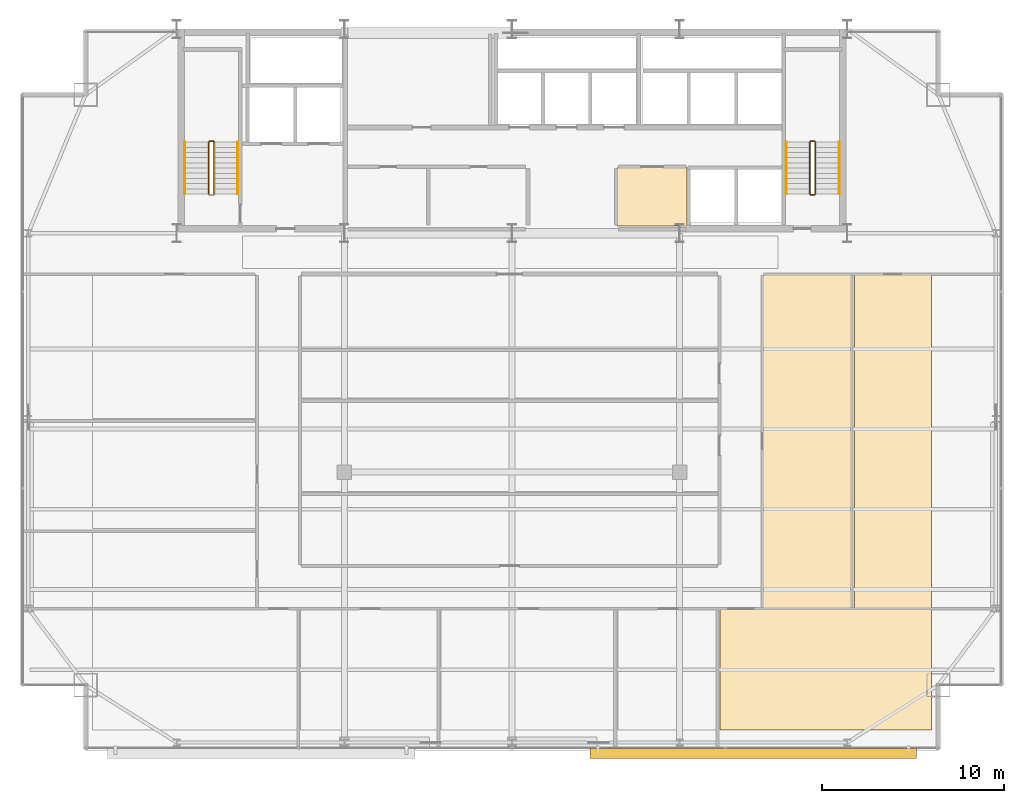
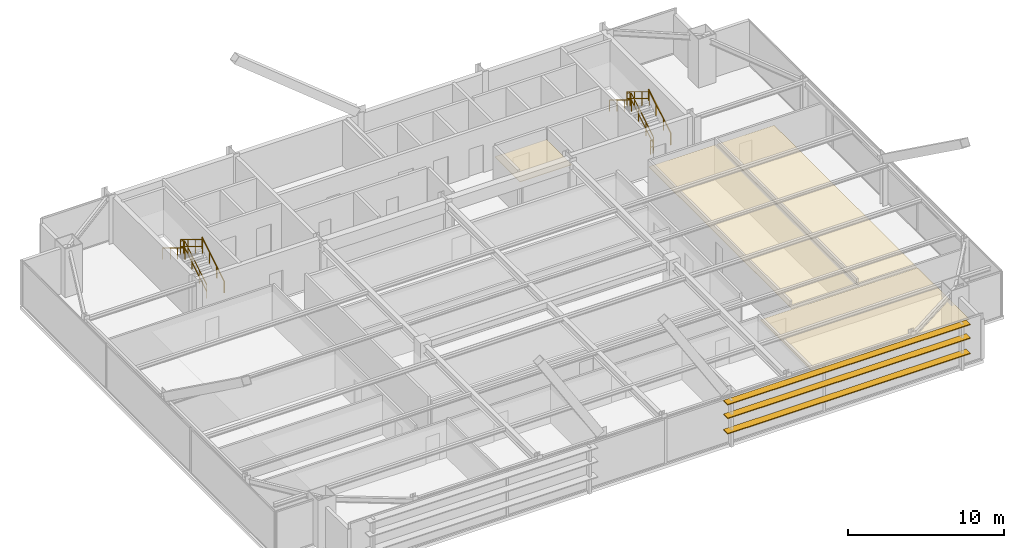
# One storey, part 30 of 30: 11 railings, 4 coverings, 3 shading devices.
"""IFC4 building model written with IfcOpenShell, lengths in metres."""

from ifc_helpers import new_model, si_unit, direction, frame, origin, origin_2d, place, context, subcontext, project, spatial, polyline, rectangle, outline, extrude, source, transform, mapped, material, layer, layer_set, type_object, type_shapes, element, save


model = new_model("IFC4")

# Units and contexts
model_context = context("Model", 3, precision=1e-05, world=origin(), true_north=direction((0.0, 1.0)))
body_context = subcontext(model_context, "Body", "Model", "MODEL_VIEW")
ifc_project = project(units=[si_unit("LENGTHUNIT", "METRE"), si_unit("AREAUNIT", "SQUARE_METRE"), si_unit("VOLUMEUNIT", "CUBIC_METRE"), si_unit("PLANEANGLEUNIT", "RADIAN"), si_unit("MASSUNIT", "GRAM", prefix="KILO")], contexts=[model_context])

# Site, building, storey
site_placement = place(None, origin())
site = spatial("IfcSite", under=ifc_project, at=site_placement, CompositionType="ELEMENT")
building_placement = place(site_placement, origin())
building = spatial("IfcBuilding", under=site, at=building_placement, Name="Varnel Quay Broadcast Tower", CompositionType="ELEMENT")
storey_placement = place(building_placement, frame((0.0, 0.0, 180.0)))
storey = spatial("IfcBuildingStorey", under=building, at=storey_placement, Name="L44", CompositionType="ELEMENT", Elevation=180.0)

# Coverings
ifc_material_1 = material(Name="Micro-Perforated Acoustic Ceiling Tile")
ifc_layer_1 = layer(ifc_material_1, 0.0400390625, Name="Micro-Perforated Acoustic Ceiling Tile")
ifc_layer_set_1 = layer_set([ifc_layer_1], Name="Micro-Perforated Acoustic Ceiling Tile")
covering_type = type_object("IfcCoveringType", Name="Cov_AcousticCeiling", PredefinedType="CEILING", material=ifc_layer_set_1)
covering_1_placement = place(storey_placement, frame((0.0, 0.0, 2.580078125)))
element("IfcCovering", 1, at=covering_1_placement, inside=storey, type_object=covering_type, Name="L44 Electrical Sub-Distribution Closet Acoustic Ceiling", PredefinedType="CEILING", context=body_context, shape_type="SweptSolid", body=[
    extrude(outline(polyline([(39.784912109375, 35.985107421875), (43.614990234375, 35.985107421875), (43.614990234375, 39.215087890625), (39.784912109375, 39.215087890625), (39.784912109375, 35.985107421875)])), origin(), (0.0, 0.0, 1.0), 0.0400390625),
])
covering_2_placement = place(storey_placement, frame((0.0, 0.0, 2.580078125)))
element("IfcCovering", 2, at=covering_2_placement, inside=storey, type_object=covering_type, Name="L44 Journalism Training Studio 5 Acoustic Ceiling", PredefinedType="CEILING", context=body_context, shape_type="SweptSolid", body=[
    extrude(outline(polyline([(45.4150390625, 8.324951171875), (57.014892578125, 8.324951171875), (57.014892578125, 14.955078125), (45.4150390625, 14.955078125), (45.4150390625, 8.324951171875)])), origin(), (0.0, 0.0, 1.0), 0.0400390625),
])
covering_3_placement = place(storey_placement, frame((0.0, 0.0, 2.580078125)))
element("IfcCovering", 3, at=covering_3_placement, inside=storey, type_object=covering_type, Name="L44 Catering Kitchen 13 Acoustic Ceiling", PredefinedType="CEILING", context=body_context, shape_type="SweptSolid", body=[
    extrude(outline(polyline([(47.764892578125, 15.02490234375), (52.715087890625, 15.02490234375), (52.715087890625, 33.31494140625), (47.764892578125, 33.31494140625), (47.764892578125, 15.02490234375)])), origin(), (0.0, 0.0, 1.0), 0.0400390625),
])
covering_4_placement = place(storey_placement, frame((0.0, 0.0, 2.580078125)))
element("IfcCovering", 4, at=covering_4_placement, inside=storey, type_object=covering_type, Name="L44 Bureau Office 14 Acoustic Ceiling", PredefinedType="CEILING", context=body_context, shape_type="SweptSolid", body=[
    extrude(outline(polyline([(52.784912109375, 15.02490234375), (57.014892578125, 15.02490234375), (57.014892578125, 33.31494140625), (52.784912109375, 33.31494140625), (52.784912109375, 15.02490234375)])), origin(), (0.0, 0.0, 1.0), 0.0400390625),
])

# Railings
ifc_material_2 = material(Name="Painted Steel Guard and Handrail CSA G40.21 350W", Category="steel")
railing_type_1 = type_object("IfcRailingType", Name="Rail_StairGuard1100", PredefinedType="GUARDRAIL", material=ifc_material_2)
railing_1_placement = place(storey_placement, frame((17.64990234375, 37.75, 0.172607421875)))
element("IfcRailing", 5, at=railing_1_placement, inside=storey, type_object=railing_type_1, Name="L44 ST-01 stair guard 1", PredefinedType="GUARDRAIL", context=body_context, shape_type="SweptSolid", body=[
    extrude(rectangle(XDim=0.048095703125, YDim=0.048095703125, at=origin_2d()), frame((0.0, 0.0, 1.076171875), z_axis=(0.0, 0.855202751398, 0.518293598264), x_axis=(-1.0, 0.0, 0.0)), (0.0, 0.0, 1.0), 3.332763671875),
    extrude(rectangle(XDim=0.048095703125, YDim=0.048095703125, at=origin_2d()), frame((0.0, 0.0, 0.550048828125), z_axis=(0.0, 0.855202751398, 0.518293598264), x_axis=(-1.0, 0.0, 0.0)), (0.0, 0.0, 1.0), 3.332763671875),
    extrude(rectangle(XDim=0.0419921875, YDim=0.0419921875, at=origin_2d()), origin(), (0.0, 0.0, 1.0), 1.052001953125),
    extrude(rectangle(XDim=0.0419921875, YDim=0.0419921875, at=origin_2d()), frame((0.0, 0.949951171875, 0.57568359375)), (0.0, 0.0, 1.0), 1.052001953125),
    extrude(rectangle(XDim=0.0419921875, YDim=0.0419921875, at=origin_2d()), frame((0.0, 1.900146484375, 1.151611328125)), (0.0, 0.0, 1.0), 1.052001953125),
    extrude(rectangle(XDim=0.0419921875, YDim=0.0419921875, at=origin_2d()), frame((0.0, 2.85009765625, 1.727294921875)), (0.0, 0.0, 1.0), 1.052001953125),
])
railing_2_placement = place(storey_placement, frame((17.60009765625, 40.64990234375, 1.89990234375)))
element("IfcRailing", 6, at=railing_2_placement, inside=storey, type_object=railing_type_1, Name="L44 ST-01 stair guard 2", PredefinedType="GUARDRAIL", context=body_context, shape_type="SweptSolid", body=[
    extrude(rectangle(XDim=0.048095703125, YDim=0.048095703125, at=origin_2d()), frame((0.0, 0.0, 1.076171875), z_axis=(-1.0, 0.0, 0.0), x_axis=(0.0, -1.0, 0.0)), (0.0, 0.0, 1.0), 0.2001953125),
    extrude(rectangle(XDim=0.048095703125, YDim=0.048095703125, at=origin_2d()), frame((0.0, 0.0, 0.550048828125), z_axis=(-1.0, 0.0, 0.0), x_axis=(0.0, -1.0, 0.0)), (0.0, 0.0, 1.0), 0.2001953125),
    extrude(rectangle(XDim=0.0419921875, YDim=0.0419921875, at=origin_2d()), origin(), (0.0, 0.0, 1.0), 1.052001953125),
    extrude(rectangle(XDim=0.0419921875, YDim=0.0419921875, at=origin_2d()), frame((-0.2001953125, 0.0, 0.0)), (0.0, 0.0, 1.0), 1.052001953125),
])
railing_3_placement = place(storey_placement, frame((17.35009765625, 40.60009765625, 2.07275390625)))
element("IfcRailing", 7, at=railing_3_placement, inside=storey, type_object=railing_type_1, Name="L44 ST-01 stair guard 3", PredefinedType="GUARDRAIL", context=body_context, shape_type="SweptSolid", body=[
    extrude(rectangle(XDim=0.048095703125, YDim=0.048095703125, at=origin_2d()), frame((0.0, 0.0, 1.076171875), z_axis=(0.0, -0.855202751398, 0.518293598264), x_axis=(1.0, 0.0, 0.0)), (0.0, 0.0, 1.0), 3.332763671875),
    extrude(rectangle(XDim=0.048095703125, YDim=0.048095703125, at=origin_2d()), frame((0.0, 0.0, 0.550048828125), z_axis=(0.0, -0.855202751398, 0.518293598264), x_axis=(1.0, 0.0, 0.0)), (0.0, 0.0, 1.0), 3.332763671875),
    extrude(rectangle(XDim=0.0419921875, YDim=0.0419921875, at=origin_2d()), origin(), (0.0, 0.0, 1.0), 1.052001953125),
    extrude(rectangle(XDim=0.0419921875, YDim=0.0419921875, at=origin_2d()), frame((0.0, -0.949951171875, 0.57568359375)), (0.0, 0.0, 1.0), 1.052001953125),
    extrude(rectangle(XDim=0.0419921875, YDim=0.0419921875, at=origin_2d()), frame((0.0, -1.900146484375, 1.151611328125)), (0.0, 0.0, 1.0), 1.052001953125),
    extrude(rectangle(XDim=0.0419921875, YDim=0.0419921875, at=origin_2d()), frame((0.0, -2.85009765625, 1.727294921875)), (0.0, 0.0, 1.0), 1.052001953125),
])
railing_4_placement = place(storey_placement, frame((50.64990234375, 37.75, 0.172607421875)))
element("IfcRailing", 8, at=railing_4_placement, inside=storey, type_object=railing_type_1, Name="L44 ST-02 stair guard 1", PredefinedType="GUARDRAIL", context=body_context, shape_type="SweptSolid", body=[
    extrude(rectangle(XDim=0.048095703125, YDim=0.048095703125, at=origin_2d()), frame((0.0, 0.0, 1.076171875), z_axis=(0.0, 0.855202751398, 0.518293598264), x_axis=(-1.0, 0.0, 0.0)), (0.0, 0.0, 1.0), 3.332763671875),
    extrude(rectangle(XDim=0.048095703125, YDim=0.048095703125, at=origin_2d()), frame((0.0, 0.0, 0.550048828125), z_axis=(0.0, 0.855202751398, 0.518293598264), x_axis=(-1.0, 0.0, 0.0)), (0.0, 0.0, 1.0), 3.332763671875),
    extrude(rectangle(XDim=0.0419921875, YDim=0.0419921875, at=origin_2d()), origin(), (0.0, 0.0, 1.0), 1.052001953125),
    extrude(rectangle(XDim=0.0419921875, YDim=0.0419921875, at=origin_2d()), frame((0.0, 0.949951171875, 0.57568359375)), (0.0, 0.0, 1.0), 1.052001953125),
    extrude(rectangle(XDim=0.0419921875, YDim=0.0419921875, at=origin_2d()), frame((0.0, 1.900146484375, 1.151611328125)), (0.0, 0.0, 1.0), 1.052001953125),
    extrude(rectangle(XDim=0.0419921875, YDim=0.0419921875, at=origin_2d()), frame((0.0, 2.85009765625, 1.727294921875)), (0.0, 0.0, 1.0), 1.052001953125),
])
railing_5_placement = place(storey_placement, frame((50.60009765625, 40.64990234375, 1.89990234375)))
element("IfcRailing", 9, at=railing_5_placement, inside=storey, type_object=railing_type_1, Name="L44 ST-02 stair guard 2", PredefinedType="GUARDRAIL", context=body_context, shape_type="SweptSolid", body=[
    extrude(rectangle(XDim=0.048095703125, YDim=0.048095703125, at=origin_2d()), frame((0.0, 0.0, 1.076171875), z_axis=(-1.0, 0.0, 0.0), x_axis=(0.0, -1.0, 0.0)), (0.0, 0.0, 1.0), 0.2001953125),
    extrude(rectangle(XDim=0.048095703125, YDim=0.048095703125, at=origin_2d()), frame((0.0, 0.0, 0.550048828125), z_axis=(-1.0, 0.0, 0.0), x_axis=(0.0, -1.0, 0.0)), (0.0, 0.0, 1.0), 0.2001953125),
    extrude(rectangle(XDim=0.0419921875, YDim=0.0419921875, at=origin_2d()), origin(), (0.0, 0.0, 1.0), 1.052001953125),
    extrude(rectangle(XDim=0.0419921875, YDim=0.0419921875, at=origin_2d()), frame((-0.2001953125, 0.0, 0.0)), (0.0, 0.0, 1.0), 1.052001953125),
])
railing_6_placement = place(storey_placement, frame((50.35009765625, 40.60009765625, 2.07275390625)))
element("IfcRailing", 10, at=railing_6_placement, inside=storey, type_object=railing_type_1, Name="L44 ST-02 stair guard 3", PredefinedType="GUARDRAIL", context=body_context, shape_type="SweptSolid", body=[
    extrude(rectangle(XDim=0.048095703125, YDim=0.048095703125, at=origin_2d()), frame((0.0, 0.0, 1.076171875), z_axis=(0.0, -0.855202751398, 0.518293598264), x_axis=(1.0, 0.0, 0.0)), (0.0, 0.0, 1.0), 3.332763671875),
    extrude(rectangle(XDim=0.048095703125, YDim=0.048095703125, at=origin_2d()), frame((0.0, 0.0, 0.550048828125), z_axis=(0.0, -0.855202751398, 0.518293598264), x_axis=(1.0, 0.0, 0.0)), (0.0, 0.0, 1.0), 3.332763671875),
    extrude(rectangle(XDim=0.0419921875, YDim=0.0419921875, at=origin_2d()), origin(), (0.0, 0.0, 1.0), 1.052001953125),
    extrude(rectangle(XDim=0.0419921875, YDim=0.0419921875, at=origin_2d()), frame((0.0, -0.949951171875, 0.57568359375)), (0.0, 0.0, 1.0), 1.052001953125),
    extrude(rectangle(XDim=0.0419921875, YDim=0.0419921875, at=origin_2d()), frame((0.0, -1.900146484375, 1.151611328125)), (0.0, 0.0, 1.0), 1.052001953125),
    extrude(rectangle(XDim=0.0419921875, YDim=0.0419921875, at=origin_2d()), frame((0.0, -2.85009765625, 1.727294921875)), (0.0, 0.0, 1.0), 1.052001953125),
])
railing_7_placement = place(storey_placement, frame((50.60009765625, 37.699951171875, 0.0)))
element("IfcRailing", 11, at=railing_7_placement, inside=storey, type_object=railing_type_1, Name="L44 ST-02 stair guard 4", PredefinedType="GUARDRAIL", context=body_context, shape_type="SweptSolid", body=[
    extrude(rectangle(XDim=0.048095703125, YDim=0.048095703125, at=origin_2d()), frame((0.0, 0.0, 1.076171875), z_axis=(-1.0, 0.0, 0.0), x_axis=(0.0, -1.0, 0.0)), (0.0, 0.0, 1.0), 0.2001953125),
    extrude(rectangle(XDim=0.048095703125, YDim=0.048095703125, at=origin_2d()), frame((0.0, 0.0, 0.550048828125), z_axis=(-1.0, 0.0, 0.0), x_axis=(0.0, -1.0, 0.0)), (0.0, 0.0, 1.0), 0.2001953125),
    extrude(rectangle(XDim=0.0419921875, YDim=0.0419921875, at=origin_2d()), origin(), (0.0, 0.0, 1.0), 1.052001953125),
    extrude(rectangle(XDim=0.0419921875, YDim=0.0419921875, at=origin_2d()), frame((-0.2001953125, 0.0, 0.0)), (0.0, 0.0, 1.0), 1.052001953125),
])
railing_type_2 = type_object("IfcRailingType", Name="Rail_StairHandrail900", PredefinedType="HANDRAIL", material=ifc_material_2)
railing_8_placement = place(storey_placement, frame((18.949951171875, 37.75, 0.172607421875)))
element("IfcRailing", 12, at=railing_8_placement, inside=storey, type_object=railing_type_2, Name="L44 ST-01 stair handrail 1", PredefinedType="HANDRAIL", context=body_context, shape_type="SweptSolid", body=[
    extrude(rectangle(XDim=0.048095703125, YDim=0.048095703125, at=origin_2d()), frame((0.0, 0.0, 0.8759765625), z_axis=(0.0, 0.855202751398, 0.518293598264), x_axis=(-1.0, 0.0, 0.0)), (0.0, 0.0, 1.0), 3.332763671875),
    extrude(rectangle(XDim=0.0419921875, YDim=0.0419921875, at=origin_2d()), origin(), (0.0, 0.0, 1.0), 0.851806640625),
    extrude(rectangle(XDim=0.0419921875, YDim=0.0419921875, at=origin_2d()), frame((0.0, 0.949951171875, 0.57568359375)), (0.0, 0.0, 1.0), 0.851806640625),
    extrude(rectangle(XDim=0.0419921875, YDim=0.0419921875, at=origin_2d()), frame((0.0, 1.900146484375, 1.151611328125)), (0.0, 0.0, 1.0), 0.851806640625),
    extrude(rectangle(XDim=0.0419921875, YDim=0.0419921875, at=origin_2d()), frame((0.0, 2.85009765625, 1.727294921875)), (0.0, 0.0, 1.0), 0.851806640625),
])
railing_9_placement = place(storey_placement, frame((16.050048828125, 40.60009765625, 2.07275390625)))
element("IfcRailing", 13, at=railing_9_placement, inside=storey, type_object=railing_type_2, Name="L44 ST-01 stair handrail 2", PredefinedType="HANDRAIL", context=body_context, shape_type="SweptSolid", body=[
    extrude(rectangle(XDim=0.048095703125, YDim=0.048095703125, at=origin_2d()), frame((0.0, 0.0, 0.8759765625), z_axis=(0.0, -0.855202751398, 0.518293598264), x_axis=(1.0, 0.0, 0.0)), (0.0, 0.0, 1.0), 3.332763671875),
    extrude(rectangle(XDim=0.0419921875, YDim=0.0419921875, at=origin_2d()), origin(), (0.0, 0.0, 1.0), 0.851806640625),
    extrude(rectangle(XDim=0.0419921875, YDim=0.0419921875, at=origin_2d()), frame((0.0, -0.949951171875, 0.57568359375)), (0.0, 0.0, 1.0), 0.851806640625),
    extrude(rectangle(XDim=0.0419921875, YDim=0.0419921875, at=origin_2d()), frame((0.0, -1.900146484375, 1.151611328125)), (0.0, 0.0, 1.0), 0.851806640625),
    extrude(rectangle(XDim=0.0419921875, YDim=0.0419921875, at=origin_2d()), frame((0.0, -2.85009765625, 1.727294921875)), (0.0, 0.0, 1.0), 0.851806640625),
])
railing_10_placement = place(storey_placement, frame((51.949951171875, 37.75, 0.172607421875)))
element("IfcRailing", 14, at=railing_10_placement, inside=storey, type_object=railing_type_2, Name="L44 ST-02 stair handrail 1", PredefinedType="HANDRAIL", context=body_context, shape_type="SweptSolid", body=[
    extrude(rectangle(XDim=0.048095703125, YDim=0.048095703125, at=origin_2d()), frame((0.0, 0.0, 0.8759765625), z_axis=(0.0, 0.855202751398, 0.518293598264), x_axis=(-1.0, 0.0, 0.0)), (0.0, 0.0, 1.0), 3.332763671875),
    extrude(rectangle(XDim=0.0419921875, YDim=0.0419921875, at=origin_2d()), origin(), (0.0, 0.0, 1.0), 0.851806640625),
    extrude(rectangle(XDim=0.0419921875, YDim=0.0419921875, at=origin_2d()), frame((0.0, 0.949951171875, 0.57568359375)), (0.0, 0.0, 1.0), 0.851806640625),
    extrude(rectangle(XDim=0.0419921875, YDim=0.0419921875, at=origin_2d()), frame((0.0, 1.900146484375, 1.151611328125)), (0.0, 0.0, 1.0), 0.851806640625),
    extrude(rectangle(XDim=0.0419921875, YDim=0.0419921875, at=origin_2d()), frame((0.0, 2.85009765625, 1.727294921875)), (0.0, 0.0, 1.0), 0.851806640625),
])
railing_11_placement = place(storey_placement, frame((49.050048828125, 40.60009765625, 2.07275390625)))
element("IfcRailing", 15, at=railing_11_placement, inside=storey, type_object=railing_type_2, Name="L44 ST-02 stair handrail 2", PredefinedType="HANDRAIL", context=body_context, shape_type="SweptSolid", body=[
    extrude(rectangle(XDim=0.048095703125, YDim=0.048095703125, at=origin_2d()), frame((0.0, 0.0, 0.8759765625), z_axis=(0.0, -0.855202751398, 0.518293598264), x_axis=(1.0, 0.0, 0.0)), (0.0, 0.0, 1.0), 3.332763671875),
    extrude(rectangle(XDim=0.0419921875, YDim=0.0419921875, at=origin_2d()), origin(), (0.0, 0.0, 1.0), 0.851806640625),
    extrude(rectangle(XDim=0.0419921875, YDim=0.0419921875, at=origin_2d()), frame((0.0, -0.949951171875, 0.57568359375)), (0.0, 0.0, 1.0), 0.851806640625),
    extrude(rectangle(XDim=0.0419921875, YDim=0.0419921875, at=origin_2d()), frame((0.0, -1.900146484375, 1.151611328125)), (0.0, 0.0, 1.0), 0.851806640625),
    extrude(rectangle(XDim=0.0419921875, YDim=0.0419921875, at=origin_2d()), frame((0.0, -2.85009765625, 1.727294921875)), (0.0, 0.0, 1.0), 0.851806640625),
])

# Shading devices
ifc_material_3 = material(Name="Bronze-Terracotta Extruded Ceramic Blade", Category="masonry")
ifc_layer_2 = layer(ifc_material_3, 0.06494140625, Name="Bronze-Terracotta Extruded Ceramic Blade")
ifc_layer_set_2 = layer_set([ifc_layer_2], Name="Bronze-Terracotta Extruded Ceramic Blade")
shading_device_type = type_object("IfcShadingDeviceType", Name="Shade_LouvreBlade550", PredefinedType="JALOUSIE", material=ifc_layer_set_2)
shared_shape = source(origin(), body_context, "Body", "SweptSolid", [
    extrude(rectangle(XDim=17.928955078125, YDim=0.550048828125, at=origin_2d()), origin(), (0.0, 0.0, 1.0), 0.06494140625),
])
type_shapes(shading_device_type, [shared_shape])
for number, where, z_axis, x_axis, name in (
    (16, (47.236083984375, 7.06005859375, 1.117431640625), (0.0, 0.0, 1.0), (1.0, 0.0, 0.0), "L44 Lobe 2 Horizontal Louvre Blade 1"),
    (17, (47.236083984375, 7.06005859375, 2.317626953125), (0.0, 0.0, 1.0), (1.0, 0.0, 0.0), "L44 Lobe 2 Horizontal Louvre Blade 2"),
    (18, (47.236083984375, 7.06005859375, 3.387451171875), (0.0, 0.0, 1.0), (1.0, 0.0, 0.0), "L44 Lobe 2 Horizontal Louvre Blade 3"),
):
    element("IfcShadingDevice", number, at=place(storey_placement, frame(where, z_axis=z_axis, x_axis=x_axis)), inside=storey, type_object=shading_device_type, Name=name, PredefinedType="JALOUSIE", context=body_context, shape_type="MappedRepresentation", body=[
        mapped(shared_shape, transform((0.0, 0.0, 0.0), x_axis=(1.0, 0.0, 0.0), y_axis=(0.0, 1.0, 0.0), z_axis=(0.0, 0.0, 1.0), scale=1.0)),
    ])

save(model, "model.ifc")
